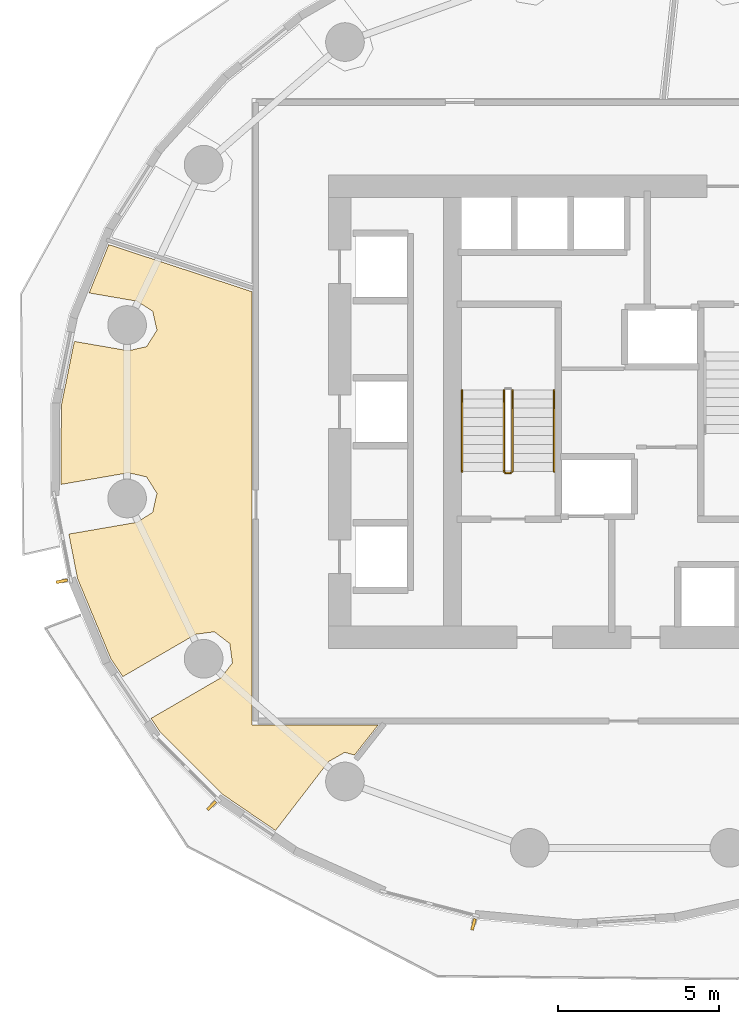
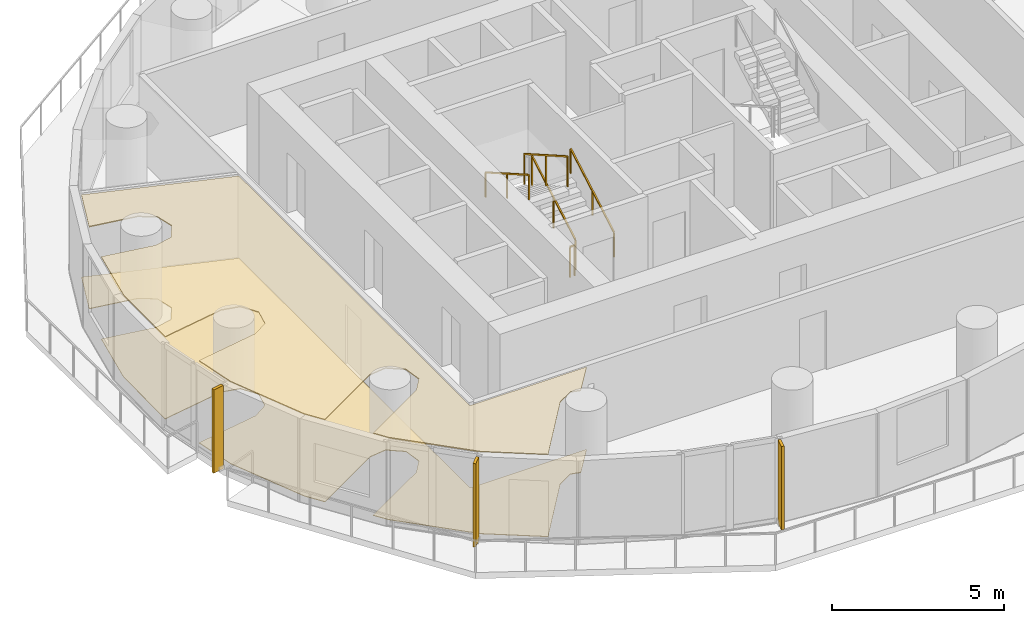
# One storey, part 7 of 10: 5 railings, 3 shading devices, 2 coverings.
"""IFC4 building model written with IfcOpenShell, lengths in metres."""

from ifc_helpers import new_model, si_unit, direction, frame, origin, origin_2d, place, context, subcontext, project, spatial, polyline, rectangle, outline, extrude, material, layer, layer_set, type_object, element, save


model = new_model("IFC4")

# Units and contexts
model_context = context("Model", 3, precision=1e-05, world=origin(), true_north=direction((0.0, 1.0)))
body_context = subcontext(model_context, "Body", "Model", "MODEL_VIEW")
ifc_project = project(units=[si_unit("LENGTHUNIT", "METRE"), si_unit("AREAUNIT", "SQUARE_METRE"), si_unit("VOLUMEUNIT", "CUBIC_METRE"), si_unit("PLANEANGLEUNIT", "RADIAN"), si_unit("MASSUNIT", "GRAM", prefix="KILO")], contexts=[model_context])

# Site, building, storey
site_placement = place(None, origin())
site = spatial("IfcSite", under=ifc_project, at=site_placement, CompositionType="ELEMENT")
building_placement = place(site_placement, origin())
building = spatial("IfcBuilding", under=site, at=building_placement, Name="Veldorim Arch Residences", CompositionType="ELEMENT")
storey_placement = place(building_placement, frame((0.0, 0.0, 70.8798828125)))
storey = spatial("IfcBuildingStorey", under=building, at=storey_placement, Name="L20", CompositionType="ELEMENT", Elevation=70.8798828125)

# Railings
ifc_material_1 = material(Name="Steel S355", Category="steel")
railing_type_1 = type_object("IfcRailingType", Name="Galvanised Steel Stair Safety Guardrail 1100", PredefinedType="GUARDRAIL", material=ifc_material_1)
railing_1_placement = place(storey_placement, frame((28.360107421875, 22.14990234375, 0.16015625)))
element("IfcRailing", 1, at=railing_1_placement, inside=storey, type_object=railing_type_1, Name="L20 ST-1 stair guard 1", PredefinedType="GUARDRAIL", context=body_context, shape_type="SweptSolid", body=[
    extrude(rectangle(XDim=0.048095703125, YDim=0.048095703125, at=origin_2d()), frame((0.0, 0.0, 1.076171875), z_axis=(0.0, 0.868253494771, 0.496120820787), x_axis=(-1.0, 0.0, 0.0)), (0.0, 0.0, 1.0), 2.90234375),
    extrude(rectangle(XDim=0.0419921875, YDim=0.0419921875, at=origin_2d()), origin(), (0.0, 0.0, 1.0), 1.052001953125),
    extrude(rectangle(XDim=0.0419921875, YDim=0.0419921875, at=origin_2d()), frame((0.0, 1.260009765625, 0.719970703125)), (0.0, 0.0, 1.0), 1.052001953125),
    extrude(rectangle(XDim=0.0419921875, YDim=0.0419921875, at=origin_2d()), frame((0.0, 2.52001953125, 1.43994140625)), (0.0, 0.0, 1.0), 1.052001953125),
])
railing_2_placement = place(storey_placement, frame((28.10009765625, 24.669921875, 1.760009765625)))
element("IfcRailing", 2, at=railing_2_placement, inside=storey, type_object=railing_type_1, Name="L20 ST-1 stair guard 3", PredefinedType="GUARDRAIL", context=body_context, shape_type="SweptSolid", body=[
    extrude(rectangle(XDim=0.048095703125, YDim=0.048095703125, at=origin_2d()), frame((0.0, 0.0, 1.076171875), z_axis=(0.0, -0.868217259934, 0.496184229447), x_axis=(1.0, 0.0, 0.0)), (0.0, 0.0, 1.0), 2.902587890625),
    extrude(rectangle(XDim=0.0419921875, YDim=0.0419921875, at=origin_2d()), origin(), (0.0, 0.0, 1.0), 1.052001953125),
    extrude(rectangle(XDim=0.0419921875, YDim=0.0419921875, at=origin_2d()), frame((0.0, -1.260009765625, 0.72021484375)), (0.0, 0.0, 1.0), 1.052001953125),
    extrude(rectangle(XDim=0.0419921875, YDim=0.0419921875, at=origin_2d()), frame((0.0, -2.52001953125, 1.440185546875)), (0.0, 0.0, 1.0), 1.052001953125),
])
railing_3_placement = place(storey_placement, frame((28.31005859375, 22.10009765625, 0.0)))
element("IfcRailing", 3, at=railing_3_placement, inside=storey, type_object=railing_type_1, Name="L20 ST-1 stair guard 4", PredefinedType="GUARDRAIL", context=body_context, shape_type="SweptSolid", body=[
    extrude(rectangle(XDim=0.048095703125, YDim=0.048095703125, at=origin_2d()), frame((0.0, 0.0, 1.076171875), z_axis=(-1.0, 0.0, 0.0), x_axis=(0.0, -1.0, 0.0)), (0.0, 0.0, 1.0), 0.16015625),
    extrude(rectangle(XDim=0.0419921875, YDim=0.0419921875, at=origin_2d()), origin(), (0.0, 0.0, 1.0), 1.052001953125),
    extrude(rectangle(XDim=0.0419921875, YDim=0.0419921875, at=origin_2d()), frame((-0.16015625, 0.0, 0.0)), (0.0, 0.0, 1.0), 1.052001953125),
])

# Coverings
ifc_material_2 = material(Name="Acoustic Gypsum & Mineral Fibre", Category="gypsum")
ifc_layer_1 = layer(ifc_material_2, 0.034912109375, Name="Perforated Acoustic Mineral-Fibre Ceiling 35")
ifc_layer_set_1 = layer_set([ifc_layer_1], Name="Acoustic Gypsum & Mineral Fibre")
covering_type_1 = type_object("IfcCoveringType", Name="Perforated Acoustic Mineral-Fibre Ceiling 35", PredefinedType="CEILING", material=ifc_layer_set_1)
covering_1_placement = place(storey_placement, frame((0.0, 0.0, 2.905029296875)))
element("IfcCovering", 4, at=covering_1_placement, inside=storey, type_object=covering_type_1, Name="L20 acoustic suspended ceiling 03", PredefinedType="CEILING", context=body_context, shape_type="SweptSolid", body=[
    extrude(outline(polyline([(21.01123046875, 11.0048828125), (19.38671875, 12.113525390625), (17.422119140625, 14.0751953125), (17.146484375, 14.484375), (19.3212890625, 15.74560546875), (19.672607421875, 16.205322265625), (19.5927734375, 16.8046875), (19.1123046875, 17.171630859375), (18.538818359375, 17.09521484375), (16.273193359375, 15.78125), (15.900146484375, 16.335693359375), (14.865478515625, 18.82666015625), (14.5966796875, 20.2041015625), (16.70947265625, 20.568603515625), (17.19873046875, 20.8779296875), (17.331787109375, 21.4677734375), (17.0087890625, 21.978759765625), (16.444091796875, 22.10595703125), (14.350341796875, 21.744384765625), (14.365478515625, 24.19921875), (14.76708984375, 26.18359375), (16.444091796875, 25.89404296875), (17.0087890625, 26.021240234375), (17.331787109375, 26.5322265625), (17.19873046875, 27.1220703125), (16.70947265625, 27.431396484375), (15.227294921875, 27.68701171875), (15.83642578125, 29.18798828125), (20.280029296875, 27.72705078125), (20.280029296875, 14.280029296875), (24.198486328125, 14.280029296875), (23.462890625, 13.34521484375), (23.156005859375, 13.427978515625), (22.654296875, 13.139404296875), (21.01123046875, 11.0048828125)])), origin(), (0.0, 0.0, 1.0), 0.03515625),
])
ifc_material_3 = material(Name="Porcelain Ceramic Tile", Category="ceramic")
ifc_layer_2 = layer(ifc_material_3, 0.02001953125, Name="Slip-Resistant Porcelain & Vinyl Floor Finish 20")
ifc_layer_set_2 = layer_set([ifc_layer_2], Name="Porcelain Ceramic Tile")
covering_type_2 = type_object("IfcCoveringType", Name="Slip-Resistant Porcelain & Vinyl Floor Finish 20", PredefinedType="FLOORING", material=ifc_layer_set_2)
covering_2_placement = place(storey_placement, origin())
element("IfcCovering", 5, at=covering_2_placement, inside=storey, type_object=covering_type_2, Name="L20 porcelain floor finish 03", PredefinedType="FLOORING", context=body_context, shape_type="SweptSolid", body=[
    extrude(outline(polyline([(21.01123046875, 11.0048828125), (19.38671875, 12.113525390625), (17.422119140625, 14.0751953125), (17.146484375, 14.484375), (19.3212890625, 15.74560546875), (19.672607421875, 16.205322265625), (19.5927734375, 16.8046875), (19.1123046875, 17.171630859375), (18.538818359375, 17.09521484375), (16.273193359375, 15.78125), (15.900146484375, 16.335693359375), (14.865478515625, 18.82666015625), (14.5966796875, 20.2041015625), (16.70947265625, 20.568603515625), (17.19873046875, 20.8779296875), (17.331787109375, 21.4677734375), (17.0087890625, 21.978759765625), (16.444091796875, 22.10595703125), (14.350341796875, 21.744384765625), (14.365478515625, 24.19921875), (14.76708984375, 26.18359375), (16.444091796875, 25.89404296875), (17.0087890625, 26.021240234375), (17.331787109375, 26.5322265625), (17.19873046875, 27.1220703125), (16.70947265625, 27.431396484375), (15.227294921875, 27.68701171875), (15.83642578125, 29.18798828125), (20.280029296875, 27.72705078125), (20.280029296875, 14.280029296875), (24.198486328125, 14.280029296875), (23.462890625, 13.34521484375), (23.156005859375, 13.427978515625), (22.654296875, 13.139404296875), (21.01123046875, 11.0048828125)])), origin(), (0.0, 0.0, 1.0), 0.02001953125),
])

# Railings
ifc_material_4 = material(Name="Stainless Steel", Category="steel")
railing_type_2 = type_object("IfcRailingType", Name="Tubular Steel Continuous Wall Handrail 900", PredefinedType="HANDRAIL", material=ifc_material_4)
railing_4_placement = place(storey_placement, frame((29.659912109375, 22.14990234375, 0.16015625)))
element("IfcRailing", 6, at=railing_4_placement, inside=storey, type_object=railing_type_2, Name="L20 ST-1 stair handrail 1", PredefinedType="HANDRAIL", context=body_context, shape_type="SweptSolid", body=[
    extrude(rectangle(XDim=0.048095703125, YDim=0.048095703125, at=origin_2d()), frame((0.0, 0.0, 0.8759765625), z_axis=(0.0, 0.868253494771, 0.496120820787), x_axis=(-1.0, 0.0, 0.0)), (0.0, 0.0, 1.0), 2.90234375),
    extrude(rectangle(XDim=0.0419921875, YDim=0.0419921875, at=origin_2d()), origin(), (0.0, 0.0, 1.0), 0.851806640625),
    extrude(rectangle(XDim=0.0419921875, YDim=0.0419921875, at=origin_2d()), frame((0.0, 1.260009765625, 0.719970703125)), (0.0, 0.0, 1.0), 0.851806640625),
    extrude(rectangle(XDim=0.0419921875, YDim=0.0419921875, at=origin_2d()), frame((0.0, 2.52001953125, 1.43994140625)), (0.0, 0.0, 1.0), 0.851806640625),
])
railing_5_placement = place(storey_placement, frame((26.800048828125, 24.669921875, 1.760009765625)))
element("IfcRailing", 7, at=railing_5_placement, inside=storey, type_object=railing_type_2, Name="L20 ST-1 stair handrail 2", PredefinedType="HANDRAIL", context=body_context, shape_type="SweptSolid", body=[
    extrude(rectangle(XDim=0.048095703125, YDim=0.048095703125, at=origin_2d()), frame((0.0, 0.0, 0.8759765625), z_axis=(0.0, -0.868217259934, 0.496184229447), x_axis=(1.0, 0.0, 0.0)), (0.0, 0.0, 1.0), 2.902587890625),
    extrude(rectangle(XDim=0.0419921875, YDim=0.0419921875, at=origin_2d()), origin(), (0.0, 0.0, 1.0), 0.851806640625),
    extrude(rectangle(XDim=0.0419921875, YDim=0.0419921875, at=origin_2d()), frame((0.0, -1.260009765625, 0.72021484375)), (0.0, 0.0, 1.0), 0.851806640625),
    extrude(rectangle(XDim=0.0419921875, YDim=0.0419921875, at=origin_2d()), frame((0.0, -2.52001953125, 1.440185546875)), (0.0, 0.0, 1.0), 0.851806640625),
])

# Shading devices
ifc_material_5 = material(Name="Terracotta Ceramic", Category="masonry")
ifc_layer_3 = layer(ifc_material_5, 0.090087890625, Name="Vertical Extruded Terracotta Baguette Sun-Shading Fin")
ifc_layer_set_3 = layer_set([ifc_layer_3], Name="Terracotta Ceramic")
shading_device_type = type_object("IfcShadingDeviceType", Name="Vertical Extruded Terracotta Baguette Sun-Shading Fin", PredefinedType="USERDEFINED", material=ifc_layer_set_3)
for number, where, z_axis, x_axis, name in (
    (8, (14.377685546875, 18.741455078125, 0.000244140625), (0.0, 0.0, 1.0), (-0.191665553932, 0.981460297432, 0.0), "L20 vertical terracotta sun-shading fin 18"),
    (9, (19.0283203125, 11.77197265625, 0.000244140625), (0.0, 0.0, 1.0), (-0.707600262489, 0.706612955249, 0.0), "L20 vertical terracotta sun-shading fin 21"),
    (10, (27.15576171875, 8.091796875, 0.000244140625), (0.0, 0.0, 1.0), (-0.968147640378, 0.250380004054, 0.0), "L20 vertical terracotta sun-shading fin 24"),
):
    element("IfcShadingDevice", number, at=place(storey_placement, frame(where, z_axis=z_axis, x_axis=x_axis)), inside=storey, type_object=shading_device_type, Name=name, ObjectType="FIN", PredefinedType="USERDEFINED", context=body_context, shape_type="SweptSolid", body=[
        extrude(rectangle(XDim=0.090087890625, YDim=0.360107421875, at=origin_2d()), origin(), (0.0, 0.0, 1.0), 2.9599609375),
    ])

save(model, "model.ifc")
